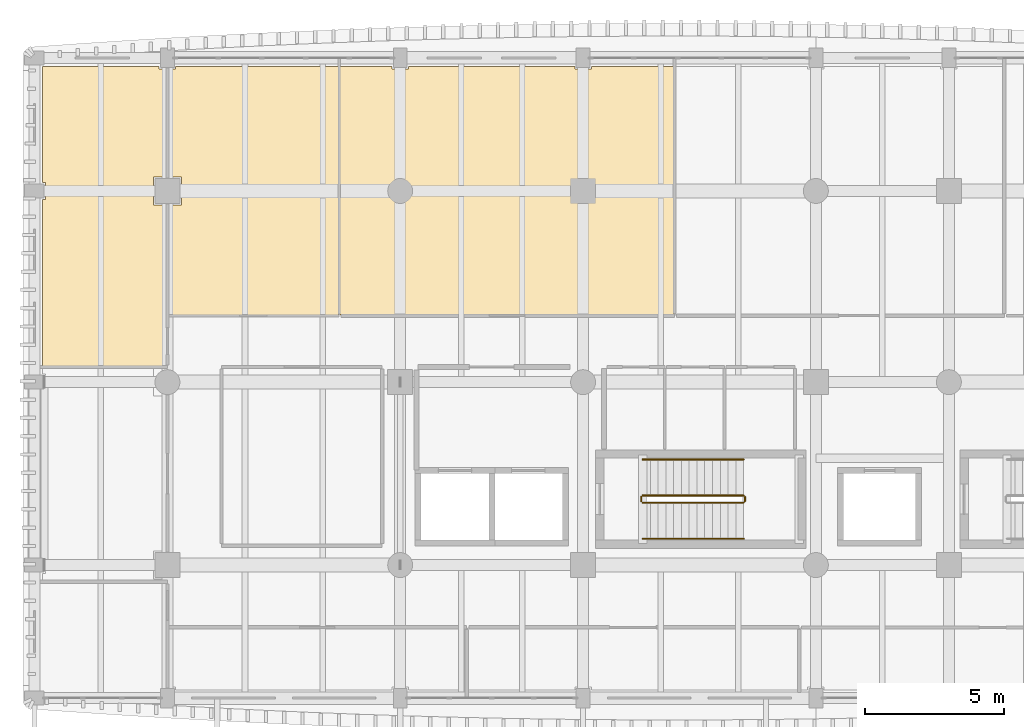
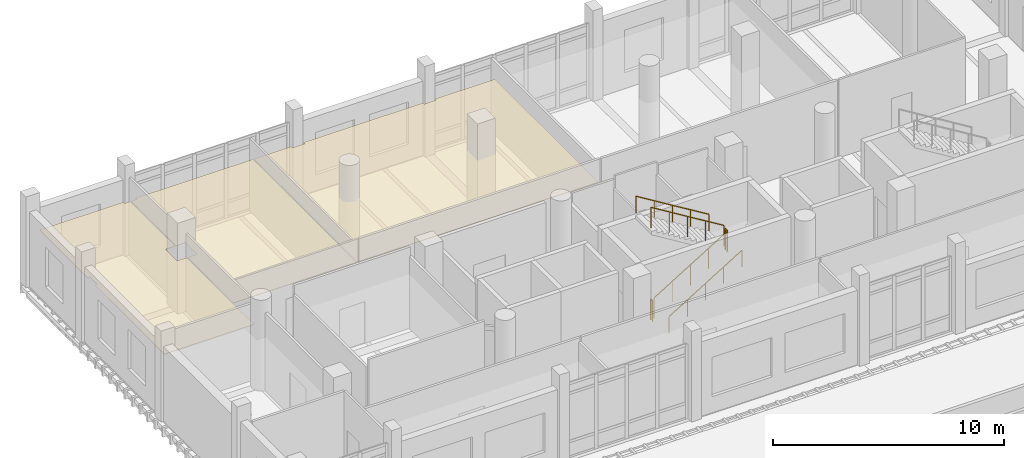
# One storey, part 110 of 125: 6 railings, 3 coverings.
"""IFC4 building model written with IfcOpenShell, lengths in metres."""

from ifc_helpers import new_model, si_unit, direction, frame, origin, origin_2d, place, context, subcontext, project, spatial, polyline, circle, outline, extrude, material, layer, layer_set, type_object, element, save


model = new_model("IFC4")

# Units and contexts
model_context = context("Model", 3, precision=1e-05, world=origin(), true_north=direction((0.0, 1.0)))
body_context = subcontext(model_context, "Body", "Model", "MODEL_VIEW")
ifc_project = project(units=[si_unit("LENGTHUNIT", "METRE"), si_unit("AREAUNIT", "SQUARE_METRE"), si_unit("VOLUMEUNIT", "CUBIC_METRE"), si_unit("PLANEANGLEUNIT", "RADIAN"), si_unit("MASSUNIT", "GRAM", prefix="KILO")], contexts=[model_context])

# Site, building, storey
site_placement = place(None, origin())
site = spatial("IfcSite", under=ifc_project, at=site_placement, CompositionType="ELEMENT")
building_placement = place(site_placement, origin())
building = spatial("IfcBuilding", under=site, at=building_placement, Name="Dornvale Research Institute", CompositionType="ELEMENT")
storey_placement = place(building_placement, frame((0.0, 0.0, 5.39990234375)))
storey = spatial("IfcBuildingStorey", under=building, at=storey_placement, Name="L01", CompositionType="ELEMENT", Elevation=5.39990234375)

# Coverings
ifc_material_1 = material(Name="Mineral-Fibre Acoustic Lay-In Ceiling Tile System")
ifc_layer_1 = layer(ifc_material_1, 0.02001953125)
ifc_layer_set_1 = layer_set([ifc_layer_1], Name="Mineral-Fibre Acoustic Lay-In Ceiling Tile System")
covering_type = type_object("IfcCoveringType", Name="Covering_Acoustic_Ceiling", PredefinedType="CEILING", material=ifc_layer_set_1)
covering_1_placement = place(storey_placement, frame((0.0, 0.0, 2.85009765625)))
element("IfcCovering", 1, at=covering_1_placement, inside=storey, type_object=covering_type, Name="L01 Principal Investigator Office L01-W suspended ceiling", PredefinedType="CEILING", context=body_context, shape_type="SweptSolid", body=[
    extrude(outline(polyline([(0.39990234375, 117.60009765625), (0.300048828125, 117.60009765625), (0.300048828125, 121.800048828125), (0.39990234375, 121.800048828125), (4.5, 121.800048828125), (4.5, 121.699951171875), (4.780029296875, 121.699951171875), (4.780029296875, 117.800048828125), (4.300048828125, 117.800048828125), (4.300048828125, 116.800048828125), (4.780029296875, 116.800048828125), (4.780029296875, 110.969970703125), (0.300048828125, 110.969970703125), (0.300048828125, 117.0), (0.39990234375, 117.0), (0.39990234375, 117.60009765625)])), origin(), (0.0, 0.0, 1.0), 0.02001953125),
])
covering_2_placement = place(storey_placement, frame((0.0, 0.0, 2.85009765625)))
element("IfcCovering", 2, at=covering_2_placement, inside=storey, type_object=covering_type, Name="L01 Principal Investigator Office L01-W suspended ceiling", PredefinedType="CEILING", context=body_context, shape_type="SweptSolid", body=[
    extrude(outline(polyline([(4.820068359375, 117.800048828125), (4.820068359375, 121.699951171875), (5.10009765625, 121.699951171875), (5.10009765625, 121.800048828125), (10.97998046875, 121.800048828125), (10.97998046875, 112.820068359375), (4.820068359375, 112.820068359375), (4.820068359375, 116.800048828125), (5.300048828125, 116.800048828125), (5.300048828125, 117.800048828125), (4.820068359375, 117.800048828125)])), origin(), (0.0, 0.0, 1.0), 0.02001953125),
])
covering_3_placement = place(storey_placement, frame((0.0, 0.0, 2.85009765625)))
element("IfcCovering", 3, at=covering_3_placement, inside=storey, type_object=covering_type, Name="L01 Dry Computational Laboratory L01-A suspended ceiling", PredefinedType="CEILING", context=body_context, shape_type="SweptSolid", body=[
    extrude(outline(polyline([(23.080078125, 121.800048828125), (23.080078125, 112.820068359375), (11.02001953125, 112.820068359375), (11.02001953125, 121.800048828125), (12.89990234375, 121.800048828125), (12.89990234375, 121.699951171875), (13.5, 121.699951171875), (13.5, 121.800048828125), (19.5, 121.800048828125), (19.5, 121.699951171875), (20.10009765625, 121.699951171875), (20.10009765625, 121.800048828125), (23.080078125, 121.800048828125)])), origin(), (0.0, 0.0, 1.0), 0.02001953125),
])

# Railings
ifc_material_2 = material(Name="Galvanized Painted Tubular Steel Stair Rail", Category="steel")
ifc_layer_2 = layer(ifc_material_2, 0.050048828125)
ifc_layer_set_2 = layer_set([ifc_layer_2], Name="Galvanized Painted Tubular Steel Stair Rail")
railing_type_1 = type_object("IfcRailingType", Name="Railing_Stair_Guard_1100", PredefinedType="GUARDRAIL", material=ifc_layer_set_2)
railing_1_placement = place(storey_placement, frame((21.949951171875, 106.050048828125, 0.171630859375)))
element("IfcRailing", 4, at=railing_1_placement, inside=storey, type_object=railing_type_1, Name="L01 ST-1 stair guard 1", PredefinedType="GUARDRAIL", context=body_context, shape_type="SweptSolid", body=[
    extrude(circle(Radius=0.02392578125, at=origin_2d()), frame((0.0, 0.0, 1.076171875), z_axis=(0.852865859571, 0.0, 0.52213008492), x_axis=(0.0, 1.0, 0.0)), (0.0, 0.0, 1.0), 4.26806640625),
    extrude(circle(Radius=0.02099609375, at=origin_2d()), origin(), (0.0, 0.0, 1.0), 1.052001953125),
    extrude(circle(Radius=0.02099609375, at=origin_2d()), frame((0.91015625, 0.0, 0.55712890625)), (0.0, 0.0, 1.0), 1.052001953125),
    extrude(circle(Radius=0.02099609375, at=origin_2d()), frame((1.820068359375, 0.0, 1.1142578125)), (0.0, 0.0, 1.0), 1.052001953125),
    extrude(circle(Radius=0.02099609375, at=origin_2d()), frame((2.72998046875, 0.0, 1.67138671875)), (0.0, 0.0, 1.0), 1.052001953125),
    extrude(circle(Radius=0.02099609375, at=origin_2d()), frame((3.64013671875, 0.0, 2.228515625)), (0.0, 0.0, 1.0), 1.052001953125),
])
railing_2_placement = place(storey_placement, frame((25.639892578125, 106.10009765625, 2.400146484375)))
element("IfcRailing", 5, at=railing_2_placement, inside=storey, type_object=railing_type_1, Name="L01 ST-1 stair guard 2", PredefinedType="GUARDRAIL", context=body_context, shape_type="SweptSolid", body=[
    extrude(circle(Radius=0.02392578125, at=origin_2d()), frame((0.0, 0.0, 1.076171875), z_axis=(0.0, 1.0, 0.0), x_axis=(-1.0, 0.0, 0.0)), (0.0, 0.0, 1.0), 0.159912109375),
    extrude(circle(Radius=0.02099609375, at=origin_2d()), origin(), (0.0, 0.0, 1.0), 1.052001953125),
    extrude(circle(Radius=0.02099609375, at=origin_2d()), frame((0.0, 0.159912109375, 0.0)), (0.0, 0.0, 1.0), 1.052001953125),
])
railing_3_placement = place(storey_placement, frame((25.590087890625, 106.31005859375, 2.571533203125)))
element("IfcRailing", 6, at=railing_3_placement, inside=storey, type_object=railing_type_1, Name="L01 ST-1 stair guard 3", PredefinedType="GUARDRAIL", context=body_context, shape_type="SweptSolid", body=[
    extrude(circle(Radius=0.02392578125, at=origin_2d()), frame((0.0, 0.0, 1.076171875), z_axis=(-0.852865859571, 0.0, 0.52213008492), x_axis=(0.0, -1.0, 0.0)), (0.0, 0.0, 1.0), 4.26806640625),
    extrude(circle(Radius=0.02099609375, at=origin_2d()), origin(), (0.0, 0.0, 1.0), 1.052001953125),
    extrude(circle(Radius=0.02099609375, at=origin_2d()), frame((-0.91015625, 0.0, 0.55712890625)), (0.0, 0.0, 1.0), 1.052001953125),
    extrude(circle(Radius=0.02099609375, at=origin_2d()), frame((-1.820068359375, 0.0, 1.1142578125)), (0.0, 0.0, 1.0), 1.052001953125),
    extrude(circle(Radius=0.02099609375, at=origin_2d()), frame((-2.72998046875, 0.0, 1.67138671875)), (0.0, 0.0, 1.0), 1.052001953125),
    extrude(circle(Radius=0.02099609375, at=origin_2d()), frame((-3.64013671875, 0.0, 2.228515625)), (0.0, 0.0, 1.0), 1.052001953125),
])
railing_4_placement = place(storey_placement, frame((21.89990234375, 106.10009765625, 0.0)))
element("IfcRailing", 7, at=railing_4_placement, inside=storey, type_object=railing_type_1, Name="L01 ST-1 stair guard 4", PredefinedType="GUARDRAIL", context=body_context, shape_type="SweptSolid", body=[
    extrude(circle(Radius=0.02392578125, at=origin_2d()), frame((0.0, 0.0, 1.076171875), z_axis=(0.0, 1.0, 0.0), x_axis=(-1.0, 0.0, 0.0)), (0.0, 0.0, 1.0), 0.159912109375),
    extrude(circle(Radius=0.02099609375, at=origin_2d()), origin(), (0.0, 0.0, 1.0), 1.052001953125),
    extrude(circle(Radius=0.02099609375, at=origin_2d()), frame((0.0, 0.159912109375, 0.0)), (0.0, 0.0, 1.0), 1.052001953125),
])
ifc_material_3 = material(Name="Galvanized Painted Tubular Steel Stair Rail", Category="steel")
ifc_layer_3 = layer(ifc_material_3, 0.044921875)
ifc_layer_set_3 = layer_set([ifc_layer_3], Name="Galvanized Painted Tubular Steel Stair Rail")
railing_type_2 = type_object("IfcRailingType", Name="Railing_Stair_Handrail_900", PredefinedType="HANDRAIL", material=ifc_layer_set_3)
railing_5_placement = place(storey_placement, frame((21.949951171875, 104.75, 0.171630859375)))
element("IfcRailing", 8, at=railing_5_placement, inside=storey, type_object=railing_type_2, Name="L01 ST-1 stair handrail 1", PredefinedType="HANDRAIL", context=body_context, shape_type="SweptSolid", body=[
    extrude(circle(Radius=0.02392578125, at=origin_2d()), frame((0.0, 0.0, 0.8759765625), z_axis=(0.852865859571, 0.0, 0.52213008492), x_axis=(0.0, 1.0, 0.0)), (0.0, 0.0, 1.0), 4.26806640625),
    extrude(circle(Radius=0.02099609375, at=origin_2d()), origin(), (0.0, 0.0, 1.0), 0.851806640625),
    extrude(circle(Radius=0.02099609375, at=origin_2d()), frame((0.91015625, 0.0, 0.55712890625)), (0.0, 0.0, 1.0), 0.851806640625),
    extrude(circle(Radius=0.02099609375, at=origin_2d()), frame((1.820068359375, 0.0, 1.1142578125)), (0.0, 0.0, 1.0), 0.851806640625),
    extrude(circle(Radius=0.02099609375, at=origin_2d()), frame((2.72998046875, 0.0, 1.67138671875)), (0.0, 0.0, 1.0), 0.851806640625),
    extrude(circle(Radius=0.02099609375, at=origin_2d()), frame((3.64013671875, 0.0, 2.228515625)), (0.0, 0.0, 1.0), 0.851806640625),
])
railing_6_placement = place(storey_placement, frame((25.590087890625, 107.610107421875, 2.571533203125)))
element("IfcRailing", 9, at=railing_6_placement, inside=storey, type_object=railing_type_2, Name="L01 ST-1 stair handrail 2", PredefinedType="HANDRAIL", context=body_context, shape_type="SweptSolid", body=[
    extrude(circle(Radius=0.02392578125, at=origin_2d()), frame((0.0, 0.0, 0.8759765625), z_axis=(-0.852865859571, 0.0, 0.52213008492), x_axis=(0.0, -1.0, 0.0)), (0.0, 0.0, 1.0), 4.26806640625),
    extrude(circle(Radius=0.02099609375, at=origin_2d()), origin(), (0.0, 0.0, 1.0), 0.851806640625),
    extrude(circle(Radius=0.02099609375, at=origin_2d()), frame((-0.91015625, 0.0, 0.55712890625)), (0.0, 0.0, 1.0), 0.851806640625),
    extrude(circle(Radius=0.02099609375, at=origin_2d()), frame((-1.820068359375, 0.0, 1.1142578125)), (0.0, 0.0, 1.0), 0.851806640625),
    extrude(circle(Radius=0.02099609375, at=origin_2d()), frame((-2.72998046875, 0.0, 1.67138671875)), (0.0, 0.0, 1.0), 0.851806640625),
    extrude(circle(Radius=0.02099609375, at=origin_2d()), frame((-3.64013671875, 0.0, 2.228515625)), (0.0, 0.0, 1.0), 0.851806640625),
])

save(model, "model.ifc")
